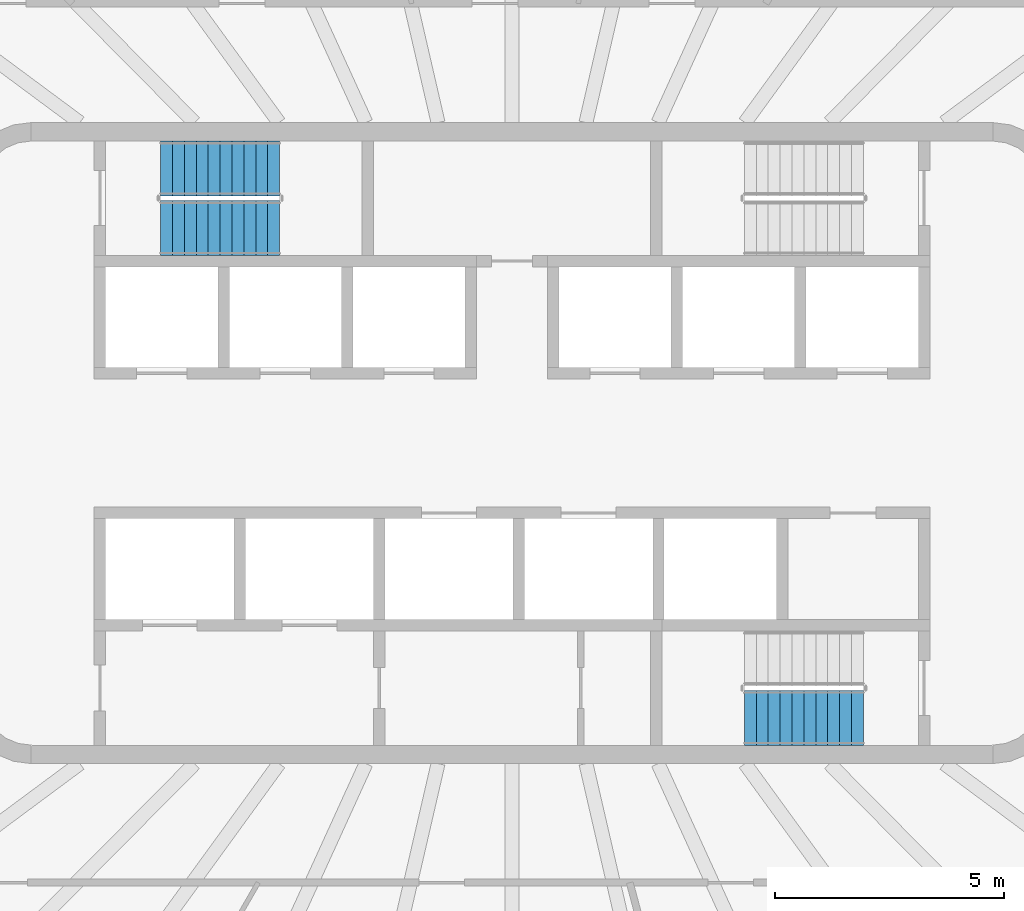
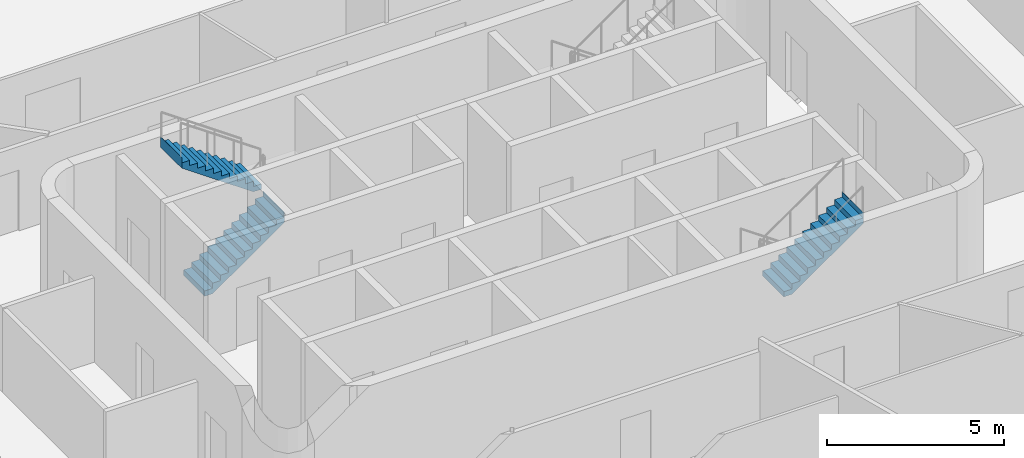
# One storey, part 16 of 23: 3 stair flights, 2 elements without a shape of their own.
"""IFC4 building model written with IfcOpenShell, lengths in metres."""

from ifc_helpers import new_model, si_unit, direction, frame, origin, place, context, subcontext, project, spatial, triangles, material, type_object, element, aggregate, save


model = new_model("IFC4")

# Units and contexts
model_context = context("Model", 3, precision=1e-05, world=origin(), true_north=direction((0.0, 1.0)))
body_context = subcontext(model_context, "Body", "Model", "MODEL_VIEW")
ifc_project = project(units=[si_unit("LENGTHUNIT", "METRE"), si_unit("AREAUNIT", "SQUARE_METRE"), si_unit("VOLUMEUNIT", "CUBIC_METRE"), si_unit("PLANEANGLEUNIT", "RADIAN"), si_unit("MASSUNIT", "GRAM", prefix="KILO")], contexts=[model_context])

# Site, building, storey
site_placement = place(None, origin())
site = spatial("IfcSite", under=ifc_project, at=site_placement, CompositionType="ELEMENT")
building_placement = place(site_placement, origin())
building = spatial("IfcBuilding", under=site, at=building_placement, Name="Sahrelin Media Tower", CompositionType="ELEMENT")
storey_placement = place(building_placement, frame((0.0, 0.0, 217.60009765625)))
storey = spatial("IfcBuildingStorey", under=building, at=storey_placement, Name="L46", CompositionType="ELEMENT", Elevation=217.60009765625)

# Stair, stair flights
ifc_material = material(Name="Concrete C40/50", Category="concrete")
stair_type = type_object("IfcStairType", Name="Exit stair 1200", PredefinedType="HALF_TURN_STAIR", material=ifc_material)
placement = place(storey_placement, origin())
stair_1 = element("IfcStair", 1, at=placement, inside=storey, type_object=stair_type, Name="L46 Exit stair ST1", PredefinedType="HALF_TURN_STAIR")
stair_flight_type = type_object("IfcStairFlightType", Name="Stair flight 1200", PredefinedType="STRAIGHT", material=ifc_material)
stair_flight_1_placement = place(storey_placement, frame((-7.675048828125, 4.699951171875, 0.0), z_axis=(0.0, 0.0, 1.0), x_axis=(1.0, 0.0, 0.0)))
stair_flight_1 = element("IfcStairFlight", 2, at=stair_flight_1_placement, type_object=stair_flight_type, Name="ST1 flight 1", NumberOfRisers=11, NumberOfTreads=10, PredefinedType="STRAIGHT", RiserHeight=0.181818182, TreadLength=0.26, context=body_context, shape_type="Tessellation", body=[
    triangles([(0.261474609375, 0.60009765625, 0.0), (0.261474609375, 0.300048828125, 0.0), (0.261474609375, 0.0, 0.0), (0.261474609375, -0.300048828125, 0.0), (0.261474609375, -0.60009765625, 0.0), (2.60009765625, 0.60009765625, 1.63525390625), (2.60009765625, 0.300048828125, 1.63525390625), (2.60009765625, 0.0, 1.63525390625), (2.60009765625, -0.300048828125, 1.63525390625), (2.60009765625, -0.60009765625, 1.63525390625), (2.60009765625, 0.60009765625, 2.0), (2.60009765625, 0.300048828125, 2.0), (2.60009765625, 0.0, 2.0), (2.60009765625, -0.300048828125, 2.0), (2.60009765625, -0.60009765625, 2.0), (2.597900390625, 0.60009765625, 2.0), (2.597900390625, 0.300048828125, 2.0), (2.597900390625, 0.0, 2.0), (2.597900390625, -0.300048828125, 2.0), (2.597900390625, -0.60009765625, 2.0), (2.597900390625, 0.60009765625, 1.818115234375), (2.597900390625, 0.300048828125, 1.818115234375), (2.597900390625, 0.0, 1.818115234375), (2.597900390625, -0.300048828125, 1.818115234375), (2.597900390625, -0.60009765625, 1.818115234375), (2.340087890625, 0.60009765625, 1.818115234375), (2.340087890625, 0.300048828125, 1.818115234375), (2.340087890625, 0.0, 1.818115234375), (2.340087890625, -0.300048828125, 1.818115234375), (2.340087890625, -0.60009765625, 1.818115234375), (2.340087890625, 0.60009765625, 1.636474609375), (2.340087890625, 0.300048828125, 1.636474609375), (2.340087890625, 0.0, 1.636474609375), (2.340087890625, -0.300048828125, 1.636474609375), (2.340087890625, -0.60009765625, 1.636474609375), (2.080078125, 0.60009765625, 1.636474609375), (2.080078125, 0.300048828125, 1.636474609375), (2.080078125, 0.0, 1.636474609375), (2.080078125, -0.300048828125, 1.636474609375), (2.080078125, -0.60009765625, 1.636474609375), (2.080078125, 0.60009765625, 1.45458984375), (2.080078125, 0.300048828125, 1.45458984375), (2.080078125, 0.0, 1.45458984375), (2.080078125, -0.300048828125, 1.45458984375), (2.080078125, -0.60009765625, 1.45458984375), (1.820068359375, 0.60009765625, 1.45458984375), (1.820068359375, 0.300048828125, 1.45458984375), (1.820068359375, 0.0, 1.45458984375), (1.820068359375, -0.300048828125, 1.45458984375), (1.820068359375, -0.60009765625, 1.45458984375), (1.820068359375, 0.60009765625, 1.272705078125), (1.820068359375, 0.300048828125, 1.272705078125), (1.820068359375, 0.0, 1.272705078125), (1.820068359375, -0.300048828125, 1.272705078125), (1.820068359375, -0.60009765625, 1.272705078125), (1.56005859375, 0.60009765625, 1.272705078125), (1.56005859375, 0.300048828125, 1.272705078125), (1.56005859375, 0.0, 1.272705078125), (1.56005859375, -0.300048828125, 1.272705078125), (1.56005859375, -0.60009765625, 1.272705078125), (1.56005859375, 0.60009765625, 1.0908203125), (1.56005859375, 0.300048828125, 1.0908203125), (1.56005859375, 0.0, 1.0908203125), (1.56005859375, -0.300048828125, 1.0908203125), (1.56005859375, -0.60009765625, 1.0908203125), (1.300048828125, 0.60009765625, 1.0908203125), (1.300048828125, 0.300048828125, 1.0908203125), (1.300048828125, 0.0, 1.0908203125), (1.300048828125, -0.300048828125, 1.0908203125), (1.300048828125, -0.60009765625, 1.0908203125), (1.300048828125, 0.60009765625, 0.9091796875), (1.300048828125, 0.300048828125, 0.9091796875), (1.300048828125, 0.0, 0.9091796875), (1.300048828125, -0.300048828125, 0.9091796875), (1.300048828125, -0.60009765625, 0.9091796875), (1.0400390625, 0.60009765625, 0.9091796875), (1.0400390625, 0.300048828125, 0.9091796875), (1.0400390625, 0.0, 0.9091796875), (1.0400390625, -0.300048828125, 0.9091796875), (1.0400390625, -0.60009765625, 0.9091796875), (1.0400390625, 0.60009765625, 0.727294921875), (1.0400390625, 0.300048828125, 0.727294921875), (1.0400390625, 0.0, 0.727294921875), (1.0400390625, -0.300048828125, 0.727294921875), (1.0400390625, -0.60009765625, 0.727294921875), (0.780029296875, 0.60009765625, 0.727294921875), (0.780029296875, 0.300048828125, 0.727294921875), (0.780029296875, 0.0, 0.727294921875), (0.780029296875, -0.300048828125, 0.727294921875), (0.780029296875, -0.60009765625, 0.727294921875), (0.780029296875, 0.60009765625, 0.54541015625), (0.780029296875, 0.300048828125, 0.54541015625), (0.780029296875, 0.0, 0.54541015625), (0.780029296875, -0.300048828125, 0.54541015625), (0.780029296875, -0.60009765625, 0.54541015625), (0.52001953125, 0.60009765625, 0.54541015625), (0.52001953125, 0.300048828125, 0.54541015625), (0.52001953125, 0.0, 0.54541015625), (0.52001953125, -0.300048828125, 0.54541015625), (0.52001953125, -0.60009765625, 0.54541015625), (0.52001953125, 0.60009765625, 0.363525390625), (0.52001953125, 0.300048828125, 0.363525390625), (0.52001953125, 0.0, 0.363525390625), (0.52001953125, -0.300048828125, 0.363525390625), (0.52001953125, -0.60009765625, 0.363525390625), (0.260009765625, 0.60009765625, 0.363525390625), (0.260009765625, 0.300048828125, 0.363525390625), (0.260009765625, 0.0, 0.363525390625), (0.260009765625, -0.300048828125, 0.363525390625), (0.260009765625, -0.60009765625, 0.363525390625), (0.260009765625, 0.60009765625, 0.181884765625), (0.260009765625, 0.300048828125, 0.181884765625), (0.260009765625, 0.0, 0.181884765625), (0.260009765625, -0.300048828125, 0.181884765625), (0.260009765625, -0.60009765625, 0.181884765625), (0.0, 0.60009765625, 0.181884765625), (0.0, 0.300048828125, 0.181884765625), (0.0, 0.0, 0.181884765625), (0.0, -0.300048828125, 0.181884765625), (0.0, -0.60009765625, 0.181884765625), (0.0, 0.60009765625, 0.0), (0.0, 0.300048828125, 0.0), (0.0, 0.0, 0.0), (0.0, -0.300048828125, 0.0), (0.0, -0.60009765625, 0.0)], [[1, 6, 7], [1, 7, 2], [2, 7, 8], [2, 8, 3], [3, 8, 9], [3, 9, 4], [4, 9, 10], [4, 10, 5], [6, 11, 12], [6, 12, 7], [7, 12, 13], [7, 13, 8], [8, 13, 14], [8, 14, 9], [9, 14, 15], [9, 15, 10], [11, 16, 17], [11, 17, 12], [12, 17, 18], [12, 18, 13], [13, 18, 19], [13, 19, 14], [14, 19, 20], [14, 20, 15], [16, 21, 22], [16, 22, 17], [17, 22, 23], [17, 23, 18], [18, 23, 24], [18, 24, 19], [19, 24, 25], [19, 25, 20], [21, 26, 27], [21, 27, 22], [22, 27, 28], [22, 28, 23], [23, 28, 29], [23, 29, 24], [24, 29, 30], [24, 30, 25], [26, 31, 32], [26, 32, 27], [27, 32, 33], [27, 33, 28], [28, 33, 34], [28, 34, 29], [29, 34, 35], [29, 35, 30], [31, 36, 37], [31, 37, 32], [32, 37, 38], [32, 38, 33], [33, 38, 39], [33, 39, 34], [34, 39, 40], [34, 40, 35], [36, 41, 42], [36, 42, 37], [37, 42, 43], [37, 43, 38], [38, 43, 44], [38, 44, 39], [39, 44, 45], [39, 45, 40], [41, 46, 47], [41, 47, 42], [42, 47, 48], [42, 48, 43], [43, 48, 49], [43, 49, 44], [44, 49, 50], [44, 50, 45], [46, 51, 52], [46, 52, 47], [47, 52, 53], [47, 53, 48], [48, 53, 54], [48, 54, 49], [49, 54, 55], [49, 55, 50], [51, 56, 57], [51, 57, 52], [52, 57, 58], [52, 58, 53], [53, 58, 59], [53, 59, 54], [54, 59, 60], [54, 60, 55], [56, 61, 62], [56, 62, 57], [57, 62, 63], [57, 63, 58], [58, 63, 64], [58, 64, 59], [59, 64, 65], [59, 65, 60], [61, 66, 67], [61, 67, 62], [62, 67, 68], [62, 68, 63], [63, 68, 69], [63, 69, 64], [64, 69, 70], [64, 70, 65], [66, 71, 72], [66, 72, 67], [67, 72, 73], [67, 73, 68], [68, 73, 74], [68, 74, 69], [69, 74, 75], [69, 75, 70], [71, 76, 77], [71, 77, 72], [72, 77, 78], [72, 78, 73], [73, 78, 79], [73, 79, 74], [74, 79, 80], [74, 80, 75], [76, 81, 82], [76, 82, 77], [77, 82, 83], [77, 83, 78], [78, 83, 84], [78, 84, 79], [79, 84, 85], [79, 85, 80], [81, 86, 87], [81, 87, 82], [82, 87, 88], [82, 88, 83], [83, 88, 89], [83, 89, 84], [84, 89, 90], [84, 90, 85], [86, 91, 92], [86, 92, 87], [87, 92, 93], [87, 93, 88], [88, 93, 94], [88, 94, 89], [89, 94, 95], [89, 95, 90], [91, 96, 97], [91, 97, 92], [92, 97, 98], [92, 98, 93], [93, 98, 99], [93, 99, 94], [94, 99, 100], [94, 100, 95], [96, 101, 102], [96, 102, 97], [97, 102, 103], [97, 103, 98], [98, 103, 104], [98, 104, 99], [99, 104, 105], [99, 105, 100], [101, 106, 107], [101, 107, 102], [102, 107, 108], [102, 108, 103], [103, 108, 109], [103, 109, 104], [104, 109, 110], [104, 110, 105], [106, 111, 112], [106, 112, 107], [107, 112, 113], [107, 113, 108], [108, 113, 114], [108, 114, 109], [109, 114, 115], [109, 115, 110], [111, 116, 117], [111, 117, 112], [112, 117, 118], [112, 118, 113], [113, 118, 119], [113, 119, 114], [114, 119, 120], [114, 120, 115], [116, 121, 122], [116, 122, 117], [117, 122, 123], [117, 123, 118], [118, 123, 124], [118, 124, 119], [119, 124, 125], [119, 125, 120], [121, 1, 2], [121, 2, 122], [122, 2, 3], [122, 3, 123], [123, 3, 4], [123, 4, 124], [124, 4, 5], [124, 5, 125], [115, 120, 125], [111, 121, 116], [115, 105, 110], [111, 106, 101], [105, 95, 100], [101, 96, 91], [95, 85, 90], [91, 86, 81], [85, 75, 80], [81, 76, 71], [75, 65, 70], [71, 66, 61], [65, 55, 60], [61, 56, 51], [55, 45, 50], [51, 46, 41], [45, 35, 40], [41, 36, 31], [35, 25, 30], [31, 26, 21], [25, 15, 20], [21, 16, 11], [125, 5, 115], [121, 111, 1], [25, 10, 15], [21, 11, 6], [105, 115, 5], [101, 1, 111], [35, 10, 25], [31, 21, 6], [95, 105, 5], [91, 1, 101], [45, 10, 35], [41, 31, 6], [85, 95, 5], [81, 1, 91], [55, 10, 45], [51, 41, 6], [75, 85, 5], [71, 1, 81], [65, 10, 55], [61, 51, 6], [5, 10, 75], [1, 71, 6], [75, 10, 65], [71, 61, 6]], closed=True),
])
stair_flight_2_placement = place(storey_placement, frame((-5.074951171875, 6.0, 2.0), z_axis=(0.0, 0.0, 1.0), x_axis=(-1.0, 0.0, 0.0)))
stair_flight_2 = element("IfcStairFlight", 3, at=stair_flight_2_placement, type_object=stair_flight_type, Name="ST1 flight 2", NumberOfRisers=11, NumberOfTreads=10, PredefinedType="STRAIGHT", RiserHeight=0.181818182, TreadLength=0.26, context=body_context, shape_type="Tessellation", body=[
    triangles([(0.261474609375, 0.60009765625, 0.0), (0.261474609375, 0.300048828125, 0.0), (0.261474609375, 0.0, 0.0), (0.261474609375, -0.300048828125, 0.0), (0.261474609375, -0.60009765625, 0.0), (2.60009765625, 0.60009765625, 1.63525390625), (2.60009765625, 0.300048828125, 1.63525390625), (2.60009765625, 0.0, 1.63525390625), (2.60009765625, -0.300048828125, 1.63525390625), (2.60009765625, -0.60009765625, 1.63525390625), (2.60009765625, 0.60009765625, 2.0), (2.60009765625, 0.300048828125, 2.0), (2.60009765625, 0.0, 2.0), (2.60009765625, -0.300048828125, 2.0), (2.60009765625, -0.60009765625, 2.0), (2.597900390625, 0.60009765625, 2.0), (2.597900390625, 0.300048828125, 2.0), (2.597900390625, 0.0, 2.0), (2.597900390625, -0.300048828125, 2.0), (2.597900390625, -0.60009765625, 2.0), (2.597900390625, 0.60009765625, 1.818115234375), (2.597900390625, 0.300048828125, 1.818115234375), (2.597900390625, 0.0, 1.818115234375), (2.597900390625, -0.300048828125, 1.818115234375), (2.597900390625, -0.60009765625, 1.818115234375), (2.340087890625, 0.60009765625, 1.818115234375), (2.340087890625, 0.300048828125, 1.818115234375), (2.340087890625, 0.0, 1.818115234375), (2.340087890625, -0.300048828125, 1.818115234375), (2.340087890625, -0.60009765625, 1.818115234375), (2.340087890625, 0.60009765625, 1.636474609375), (2.340087890625, 0.300048828125, 1.636474609375), (2.340087890625, 0.0, 1.636474609375), (2.340087890625, -0.300048828125, 1.636474609375), (2.340087890625, -0.60009765625, 1.636474609375), (2.080078125, 0.60009765625, 1.636474609375), (2.080078125, 0.300048828125, 1.636474609375), (2.080078125, 0.0, 1.636474609375), (2.080078125, -0.300048828125, 1.636474609375), (2.080078125, -0.60009765625, 1.636474609375), (2.080078125, 0.60009765625, 1.45458984375), (2.080078125, 0.300048828125, 1.45458984375), (2.080078125, 0.0, 1.45458984375), (2.080078125, -0.300048828125, 1.45458984375), (2.080078125, -0.60009765625, 1.45458984375), (1.820068359375, 0.60009765625, 1.45458984375), (1.820068359375, 0.300048828125, 1.45458984375), (1.820068359375, 0.0, 1.45458984375), (1.820068359375, -0.300048828125, 1.45458984375), (1.820068359375, -0.60009765625, 1.45458984375), (1.820068359375, 0.60009765625, 1.272705078125), (1.820068359375, 0.300048828125, 1.272705078125), (1.820068359375, 0.0, 1.272705078125), (1.820068359375, -0.300048828125, 1.272705078125), (1.820068359375, -0.60009765625, 1.272705078125), (1.56005859375, 0.60009765625, 1.272705078125), (1.56005859375, 0.300048828125, 1.272705078125), (1.56005859375, 0.0, 1.272705078125), (1.56005859375, -0.300048828125, 1.272705078125), (1.56005859375, -0.60009765625, 1.272705078125), (1.56005859375, 0.60009765625, 1.0908203125), (1.56005859375, 0.300048828125, 1.0908203125), (1.56005859375, 0.0, 1.0908203125), (1.56005859375, -0.300048828125, 1.0908203125), (1.56005859375, -0.60009765625, 1.0908203125), (1.300048828125, 0.60009765625, 1.0908203125), (1.300048828125, 0.300048828125, 1.0908203125), (1.300048828125, 0.0, 1.0908203125), (1.300048828125, -0.300048828125, 1.0908203125), (1.300048828125, -0.60009765625, 1.0908203125), (1.300048828125, 0.60009765625, 0.9091796875), (1.300048828125, 0.300048828125, 0.9091796875), (1.300048828125, 0.0, 0.9091796875), (1.300048828125, -0.300048828125, 0.9091796875), (1.300048828125, -0.60009765625, 0.9091796875), (1.0400390625, 0.60009765625, 0.9091796875), (1.0400390625, 0.300048828125, 0.9091796875), (1.0400390625, 0.0, 0.9091796875), (1.0400390625, -0.300048828125, 0.9091796875), (1.0400390625, -0.60009765625, 0.9091796875), (1.0400390625, 0.60009765625, 0.727294921875), (1.0400390625, 0.300048828125, 0.727294921875), (1.0400390625, 0.0, 0.727294921875), (1.0400390625, -0.300048828125, 0.727294921875), (1.0400390625, -0.60009765625, 0.727294921875), (0.780029296875, 0.60009765625, 0.727294921875), (0.780029296875, 0.300048828125, 0.727294921875), (0.780029296875, 0.0, 0.727294921875), (0.780029296875, -0.300048828125, 0.727294921875), (0.780029296875, -0.60009765625, 0.727294921875), (0.780029296875, 0.60009765625, 0.54541015625), (0.780029296875, 0.300048828125, 0.54541015625), (0.780029296875, 0.0, 0.54541015625), (0.780029296875, -0.300048828125, 0.54541015625), (0.780029296875, -0.60009765625, 0.54541015625), (0.52001953125, 0.60009765625, 0.54541015625), (0.52001953125, 0.300048828125, 0.54541015625), (0.52001953125, 0.0, 0.54541015625), (0.52001953125, -0.300048828125, 0.54541015625), (0.52001953125, -0.60009765625, 0.54541015625), (0.52001953125, 0.60009765625, 0.363525390625), (0.52001953125, 0.300048828125, 0.363525390625), (0.52001953125, 0.0, 0.363525390625), (0.52001953125, -0.300048828125, 0.363525390625), (0.52001953125, -0.60009765625, 0.363525390625), (0.260009765625, 0.60009765625, 0.363525390625), (0.260009765625, 0.300048828125, 0.363525390625), (0.260009765625, 0.0, 0.363525390625), (0.260009765625, -0.300048828125, 0.363525390625), (0.260009765625, -0.60009765625, 0.363525390625), (0.260009765625, 0.60009765625, 0.181884765625), (0.260009765625, 0.300048828125, 0.181884765625), (0.260009765625, 0.0, 0.181884765625), (0.260009765625, -0.300048828125, 0.181884765625), (0.260009765625, -0.60009765625, 0.181884765625), (0.0, 0.60009765625, 0.181884765625), (0.0, 0.300048828125, 0.181884765625), (0.0, 0.0, 0.181884765625), (0.0, -0.300048828125, 0.181884765625), (0.0, -0.60009765625, 0.181884765625), (0.0, 0.60009765625, 0.0), (0.0, 0.300048828125, 0.0), (0.0, 0.0, 0.0), (0.0, -0.300048828125, 0.0), (0.0, -0.60009765625, 0.0)], [[1, 6, 7], [1, 7, 2], [2, 7, 8], [2, 8, 3], [3, 8, 9], [3, 9, 4], [4, 9, 10], [4, 10, 5], [6, 11, 12], [6, 12, 7], [7, 12, 13], [7, 13, 8], [8, 13, 14], [8, 14, 9], [9, 14, 15], [9, 15, 10], [11, 16, 17], [11, 17, 12], [12, 17, 18], [12, 18, 13], [13, 18, 19], [13, 19, 14], [14, 19, 20], [14, 20, 15], [16, 21, 22], [16, 22, 17], [17, 22, 23], [17, 23, 18], [18, 23, 24], [18, 24, 19], [19, 24, 25], [19, 25, 20], [21, 26, 27], [21, 27, 22], [22, 27, 28], [22, 28, 23], [23, 28, 29], [23, 29, 24], [24, 29, 30], [24, 30, 25], [26, 31, 32], [26, 32, 27], [27, 32, 33], [27, 33, 28], [28, 33, 34], [28, 34, 29], [29, 34, 35], [29, 35, 30], [31, 36, 37], [31, 37, 32], [32, 37, 38], [32, 38, 33], [33, 38, 39], [33, 39, 34], [34, 39, 40], [34, 40, 35], [36, 41, 42], [36, 42, 37], [37, 42, 43], [37, 43, 38], [38, 43, 44], [38, 44, 39], [39, 44, 45], [39, 45, 40], [41, 46, 47], [41, 47, 42], [42, 47, 48], [42, 48, 43], [43, 48, 49], [43, 49, 44], [44, 49, 50], [44, 50, 45], [46, 51, 52], [46, 52, 47], [47, 52, 53], [47, 53, 48], [48, 53, 54], [48, 54, 49], [49, 54, 55], [49, 55, 50], [51, 56, 57], [51, 57, 52], [52, 57, 58], [52, 58, 53], [53, 58, 59], [53, 59, 54], [54, 59, 60], [54, 60, 55], [56, 61, 62], [56, 62, 57], [57, 62, 63], [57, 63, 58], [58, 63, 64], [58, 64, 59], [59, 64, 65], [59, 65, 60], [61, 66, 67], [61, 67, 62], [62, 67, 68], [62, 68, 63], [63, 68, 69], [63, 69, 64], [64, 69, 70], [64, 70, 65], [66, 71, 72], [66, 72, 67], [67, 72, 73], [67, 73, 68], [68, 73, 74], [68, 74, 69], [69, 74, 75], [69, 75, 70], [71, 76, 77], [71, 77, 72], [72, 77, 78], [72, 78, 73], [73, 78, 79], [73, 79, 74], [74, 79, 80], [74, 80, 75], [76, 81, 82], [76, 82, 77], [77, 82, 83], [77, 83, 78], [78, 83, 84], [78, 84, 79], [79, 84, 85], [79, 85, 80], [81, 86, 87], [81, 87, 82], [82, 87, 88], [82, 88, 83], [83, 88, 89], [83, 89, 84], [84, 89, 90], [84, 90, 85], [86, 91, 92], [86, 92, 87], [87, 92, 93], [87, 93, 88], [88, 93, 94], [88, 94, 89], [89, 94, 95], [89, 95, 90], [91, 96, 97], [91, 97, 92], [92, 97, 98], [92, 98, 93], [93, 98, 99], [93, 99, 94], [94, 99, 100], [94, 100, 95], [96, 101, 102], [96, 102, 97], [97, 102, 103], [97, 103, 98], [98, 103, 104], [98, 104, 99], [99, 104, 105], [99, 105, 100], [101, 106, 107], [101, 107, 102], [102, 107, 108], [102, 108, 103], [103, 108, 109], [103, 109, 104], [104, 109, 110], [104, 110, 105], [106, 111, 112], [106, 112, 107], [107, 112, 113], [107, 113, 108], [108, 113, 114], [108, 114, 109], [109, 114, 115], [109, 115, 110], [111, 116, 117], [111, 117, 112], [112, 117, 118], [112, 118, 113], [113, 118, 119], [113, 119, 114], [114, 119, 120], [114, 120, 115], [116, 121, 122], [116, 122, 117], [117, 122, 123], [117, 123, 118], [118, 123, 124], [118, 124, 119], [119, 124, 125], [119, 125, 120], [121, 1, 2], [121, 2, 122], [122, 2, 3], [122, 3, 123], [123, 3, 4], [123, 4, 124], [124, 4, 5], [124, 5, 125], [115, 120, 125], [111, 121, 116], [115, 105, 110], [111, 106, 101], [105, 95, 100], [101, 96, 91], [95, 85, 90], [91, 86, 81], [85, 75, 80], [81, 76, 71], [75, 65, 70], [71, 66, 61], [65, 55, 60], [61, 56, 51], [55, 45, 50], [51, 46, 41], [45, 35, 40], [41, 36, 31], [35, 25, 30], [31, 26, 21], [25, 15, 20], [21, 16, 11], [125, 5, 115], [121, 111, 1], [25, 10, 15], [21, 11, 6], [105, 115, 5], [101, 1, 111], [35, 10, 25], [31, 21, 6], [95, 105, 5], [91, 1, 101], [45, 10, 35], [41, 31, 6], [85, 95, 5], [81, 1, 91], [55, 10, 45], [51, 41, 6], [75, 85, 5], [71, 1, 81], [65, 10, 55], [61, 51, 6], [5, 10, 75], [1, 71, 6], [75, 10, 65], [71, 61, 6]], closed=True),
])
aggregate(stair_1, [stair_flight_1, stair_flight_2])

# Stair, stair flight
stair_2 = element("IfcStair", 4, at=placement, inside=storey, type_object=stair_type, Name="L46 Exit stair ST2", PredefinedType="HALF_TURN_STAIR")
stair_flight_3_placement = place(storey_placement, frame((5.074951171875, -6.0, 2.0), z_axis=(0.0, 0.0, 1.0), x_axis=(1.0, 0.0, 0.0)))
stair_flight_3 = element("IfcStairFlight", 5, at=stair_flight_3_placement, type_object=stair_flight_type, Name="ST2 flight 2", NumberOfRisers=11, NumberOfTreads=10, PredefinedType="STRAIGHT", RiserHeight=0.181818182, TreadLength=0.26, context=body_context, shape_type="Tessellation", body=[
    triangles([(0.261474609375, 0.60009765625, 0.0), (0.261474609375, 0.300048828125, 0.0), (0.261474609375, 0.0, 0.0), (0.261474609375, -0.300048828125, 0.0), (0.261474609375, -0.60009765625, 0.0), (2.60009765625, 0.60009765625, 1.63525390625), (2.60009765625, 0.300048828125, 1.63525390625), (2.60009765625, 0.0, 1.63525390625), (2.60009765625, -0.300048828125, 1.63525390625), (2.60009765625, -0.60009765625, 1.63525390625), (2.60009765625, 0.60009765625, 2.0), (2.60009765625, 0.300048828125, 2.0), (2.60009765625, 0.0, 2.0), (2.60009765625, -0.300048828125, 2.0), (2.60009765625, -0.60009765625, 2.0), (2.597900390625, 0.60009765625, 2.0), (2.597900390625, 0.300048828125, 2.0), (2.597900390625, 0.0, 2.0), (2.597900390625, -0.300048828125, 2.0), (2.597900390625, -0.60009765625, 2.0), (2.597900390625, 0.60009765625, 1.818115234375), (2.597900390625, 0.300048828125, 1.818115234375), (2.597900390625, 0.0, 1.818115234375), (2.597900390625, -0.300048828125, 1.818115234375), (2.597900390625, -0.60009765625, 1.818115234375), (2.340087890625, 0.60009765625, 1.818115234375), (2.340087890625, 0.300048828125, 1.818115234375), (2.340087890625, 0.0, 1.818115234375), (2.340087890625, -0.300048828125, 1.818115234375), (2.340087890625, -0.60009765625, 1.818115234375), (2.340087890625, 0.60009765625, 1.636474609375), (2.340087890625, 0.300048828125, 1.636474609375), (2.340087890625, 0.0, 1.636474609375), (2.340087890625, -0.300048828125, 1.636474609375), (2.340087890625, -0.60009765625, 1.636474609375), (2.080078125, 0.60009765625, 1.636474609375), (2.080078125, 0.300048828125, 1.636474609375), (2.080078125, 0.0, 1.636474609375), (2.080078125, -0.300048828125, 1.636474609375), (2.080078125, -0.60009765625, 1.636474609375), (2.080078125, 0.60009765625, 1.45458984375), (2.080078125, 0.300048828125, 1.45458984375), (2.080078125, 0.0, 1.45458984375), (2.080078125, -0.300048828125, 1.45458984375), (2.080078125, -0.60009765625, 1.45458984375), (1.820068359375, 0.60009765625, 1.45458984375), (1.820068359375, 0.300048828125, 1.45458984375), (1.820068359375, 0.0, 1.45458984375), (1.820068359375, -0.300048828125, 1.45458984375), (1.820068359375, -0.60009765625, 1.45458984375), (1.820068359375, 0.60009765625, 1.272705078125), (1.820068359375, 0.300048828125, 1.272705078125), (1.820068359375, 0.0, 1.272705078125), (1.820068359375, -0.300048828125, 1.272705078125), (1.820068359375, -0.60009765625, 1.272705078125), (1.56005859375, 0.60009765625, 1.272705078125), (1.56005859375, 0.300048828125, 1.272705078125), (1.56005859375, 0.0, 1.272705078125), (1.56005859375, -0.300048828125, 1.272705078125), (1.56005859375, -0.60009765625, 1.272705078125), (1.56005859375, 0.60009765625, 1.0908203125), (1.56005859375, 0.300048828125, 1.0908203125), (1.56005859375, 0.0, 1.0908203125), (1.56005859375, -0.300048828125, 1.0908203125), (1.56005859375, -0.60009765625, 1.0908203125), (1.300048828125, 0.60009765625, 1.0908203125), (1.300048828125, 0.300048828125, 1.0908203125), (1.300048828125, 0.0, 1.0908203125), (1.300048828125, -0.300048828125, 1.0908203125), (1.300048828125, -0.60009765625, 1.0908203125), (1.300048828125, 0.60009765625, 0.9091796875), (1.300048828125, 0.300048828125, 0.9091796875), (1.300048828125, 0.0, 0.9091796875), (1.300048828125, -0.300048828125, 0.9091796875), (1.300048828125, -0.60009765625, 0.9091796875), (1.0400390625, 0.60009765625, 0.9091796875), (1.0400390625, 0.300048828125, 0.9091796875), (1.0400390625, 0.0, 0.9091796875), (1.0400390625, -0.300048828125, 0.9091796875), (1.0400390625, -0.60009765625, 0.9091796875), (1.0400390625, 0.60009765625, 0.727294921875), (1.0400390625, 0.300048828125, 0.727294921875), (1.0400390625, 0.0, 0.727294921875), (1.0400390625, -0.300048828125, 0.727294921875), (1.0400390625, -0.60009765625, 0.727294921875), (0.780029296875, 0.60009765625, 0.727294921875), (0.780029296875, 0.300048828125, 0.727294921875), (0.780029296875, 0.0, 0.727294921875), (0.780029296875, -0.300048828125, 0.727294921875), (0.780029296875, -0.60009765625, 0.727294921875), (0.780029296875, 0.60009765625, 0.54541015625), (0.780029296875, 0.300048828125, 0.54541015625), (0.780029296875, 0.0, 0.54541015625), (0.780029296875, -0.300048828125, 0.54541015625), (0.780029296875, -0.60009765625, 0.54541015625), (0.52001953125, 0.60009765625, 0.54541015625), (0.52001953125, 0.300048828125, 0.54541015625), (0.52001953125, 0.0, 0.54541015625), (0.52001953125, -0.300048828125, 0.54541015625), (0.52001953125, -0.60009765625, 0.54541015625), (0.52001953125, 0.60009765625, 0.363525390625), (0.52001953125, 0.300048828125, 0.363525390625), (0.52001953125, 0.0, 0.363525390625), (0.52001953125, -0.300048828125, 0.363525390625), (0.52001953125, -0.60009765625, 0.363525390625), (0.260009765625, 0.60009765625, 0.363525390625), (0.260009765625, 0.300048828125, 0.363525390625), (0.260009765625, 0.0, 0.363525390625), (0.260009765625, -0.300048828125, 0.363525390625), (0.260009765625, -0.60009765625, 0.363525390625), (0.260009765625, 0.60009765625, 0.181884765625), (0.260009765625, 0.300048828125, 0.181884765625), (0.260009765625, 0.0, 0.181884765625), (0.260009765625, -0.300048828125, 0.181884765625), (0.260009765625, -0.60009765625, 0.181884765625), (0.0, 0.60009765625, 0.181884765625), (0.0, 0.300048828125, 0.181884765625), (0.0, 0.0, 0.181884765625), (0.0, -0.300048828125, 0.181884765625), (0.0, -0.60009765625, 0.181884765625), (0.0, 0.60009765625, 0.0), (0.0, 0.300048828125, 0.0), (0.0, 0.0, 0.0), (0.0, -0.300048828125, 0.0), (0.0, -0.60009765625, 0.0)], [[1, 6, 7], [1, 7, 2], [2, 7, 8], [2, 8, 3], [3, 8, 9], [3, 9, 4], [4, 9, 10], [4, 10, 5], [6, 11, 12], [6, 12, 7], [7, 12, 13], [7, 13, 8], [8, 13, 14], [8, 14, 9], [9, 14, 15], [9, 15, 10], [11, 16, 17], [11, 17, 12], [12, 17, 18], [12, 18, 13], [13, 18, 19], [13, 19, 14], [14, 19, 20], [14, 20, 15], [16, 21, 22], [16, 22, 17], [17, 22, 23], [17, 23, 18], [18, 23, 24], [18, 24, 19], [19, 24, 25], [19, 25, 20], [21, 26, 27], [21, 27, 22], [22, 27, 28], [22, 28, 23], [23, 28, 29], [23, 29, 24], [24, 29, 30], [24, 30, 25], [26, 31, 32], [26, 32, 27], [27, 32, 33], [27, 33, 28], [28, 33, 34], [28, 34, 29], [29, 34, 35], [29, 35, 30], [31, 36, 37], [31, 37, 32], [32, 37, 38], [32, 38, 33], [33, 38, 39], [33, 39, 34], [34, 39, 40], [34, 40, 35], [36, 41, 42], [36, 42, 37], [37, 42, 43], [37, 43, 38], [38, 43, 44], [38, 44, 39], [39, 44, 45], [39, 45, 40], [41, 46, 47], [41, 47, 42], [42, 47, 48], [42, 48, 43], [43, 48, 49], [43, 49, 44], [44, 49, 50], [44, 50, 45], [46, 51, 52], [46, 52, 47], [47, 52, 53], [47, 53, 48], [48, 53, 54], [48, 54, 49], [49, 54, 55], [49, 55, 50], [51, 56, 57], [51, 57, 52], [52, 57, 58], [52, 58, 53], [53, 58, 59], [53, 59, 54], [54, 59, 60], [54, 60, 55], [56, 61, 62], [56, 62, 57], [57, 62, 63], [57, 63, 58], [58, 63, 64], [58, 64, 59], [59, 64, 65], [59, 65, 60], [61, 66, 67], [61, 67, 62], [62, 67, 68], [62, 68, 63], [63, 68, 69], [63, 69, 64], [64, 69, 70], [64, 70, 65], [66, 71, 72], [66, 72, 67], [67, 72, 73], [67, 73, 68], [68, 73, 74], [68, 74, 69], [69, 74, 75], [69, 75, 70], [71, 76, 77], [71, 77, 72], [72, 77, 78], [72, 78, 73], [73, 78, 79], [73, 79, 74], [74, 79, 80], [74, 80, 75], [76, 81, 82], [76, 82, 77], [77, 82, 83], [77, 83, 78], [78, 83, 84], [78, 84, 79], [79, 84, 85], [79, 85, 80], [81, 86, 87], [81, 87, 82], [82, 87, 88], [82, 88, 83], [83, 88, 89], [83, 89, 84], [84, 89, 90], [84, 90, 85], [86, 91, 92], [86, 92, 87], [87, 92, 93], [87, 93, 88], [88, 93, 94], [88, 94, 89], [89, 94, 95], [89, 95, 90], [91, 96, 97], [91, 97, 92], [92, 97, 98], [92, 98, 93], [93, 98, 99], [93, 99, 94], [94, 99, 100], [94, 100, 95], [96, 101, 102], [96, 102, 97], [97, 102, 103], [97, 103, 98], [98, 103, 104], [98, 104, 99], [99, 104, 105], [99, 105, 100], [101, 106, 107], [101, 107, 102], [102, 107, 108], [102, 108, 103], [103, 108, 109], [103, 109, 104], [104, 109, 110], [104, 110, 105], [106, 111, 112], [106, 112, 107], [107, 112, 113], [107, 113, 108], [108, 113, 114], [108, 114, 109], [109, 114, 115], [109, 115, 110], [111, 116, 117], [111, 117, 112], [112, 117, 118], [112, 118, 113], [113, 118, 119], [113, 119, 114], [114, 119, 120], [114, 120, 115], [116, 121, 122], [116, 122, 117], [117, 122, 123], [117, 123, 118], [118, 123, 124], [118, 124, 119], [119, 124, 125], [119, 125, 120], [121, 1, 2], [121, 2, 122], [122, 2, 3], [122, 3, 123], [123, 3, 4], [123, 4, 124], [124, 4, 5], [124, 5, 125], [115, 120, 125], [111, 121, 116], [115, 105, 110], [111, 106, 101], [105, 95, 100], [101, 96, 91], [95, 85, 90], [91, 86, 81], [85, 75, 80], [81, 76, 71], [75, 65, 70], [71, 66, 61], [65, 55, 60], [61, 56, 51], [55, 45, 50], [51, 46, 41], [45, 35, 40], [41, 36, 31], [35, 25, 30], [31, 26, 21], [25, 15, 20], [21, 16, 11], [125, 5, 115], [121, 111, 1], [25, 10, 15], [21, 11, 6], [105, 115, 5], [101, 1, 111], [35, 10, 25], [31, 21, 6], [95, 105, 5], [91, 1, 101], [45, 10, 35], [41, 31, 6], [85, 95, 5], [81, 1, 91], [55, 10, 45], [51, 41, 6], [75, 85, 5], [71, 1, 81], [65, 10, 55], [61, 51, 6], [5, 10, 75], [1, 71, 6], [75, 10, 65], [71, 61, 6]], closed=True),
])
aggregate(stair_2, [stair_flight_3])

save(model, "model.ifc")
